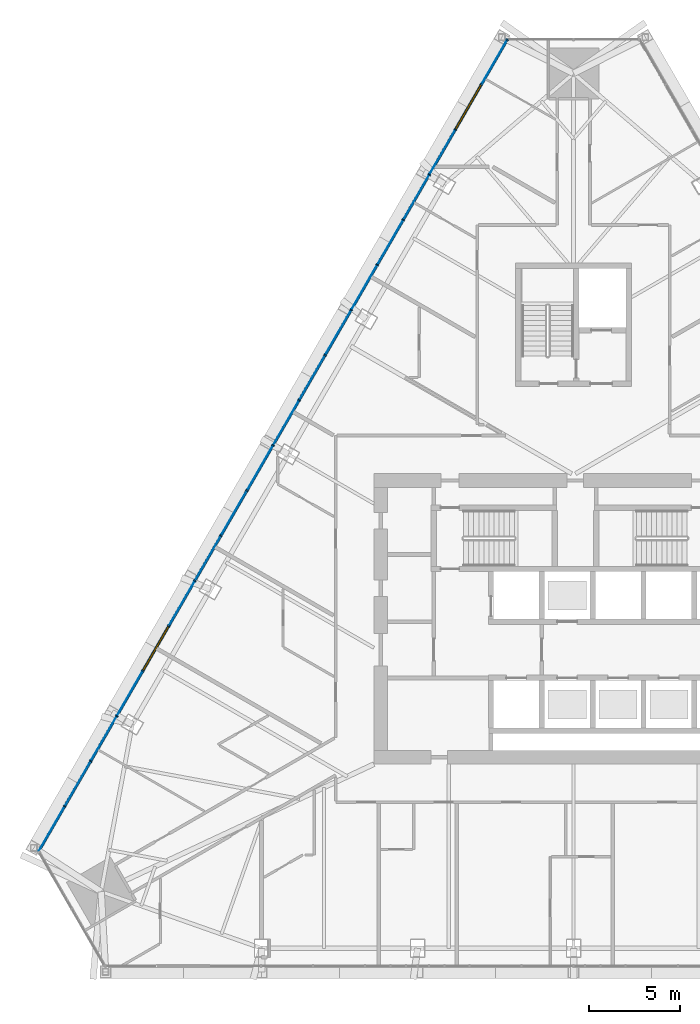
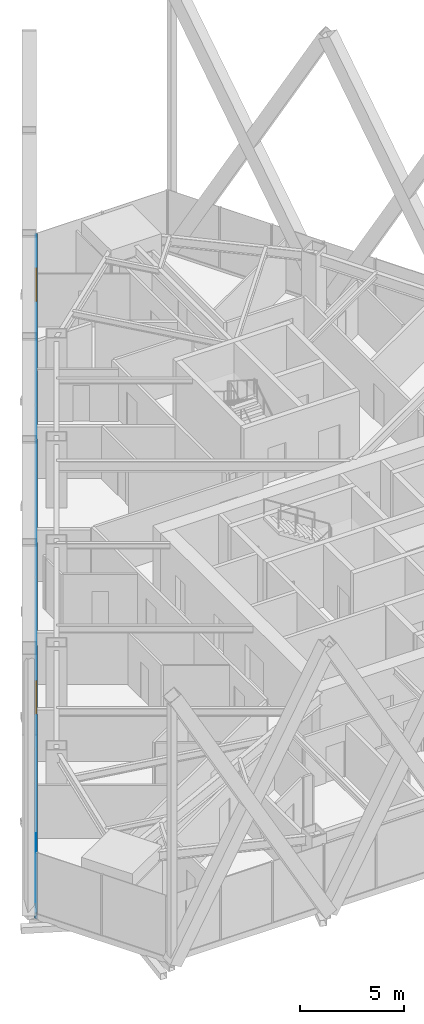
# One storey, part 9 of 23: 19 members, 16 plates, 2 windows, 2 openings, 1 element without a shape of its own.
"""IFC4 building model written with IfcOpenShell, lengths in metres."""

from ifc_helpers import new_model, si_unit, direction, frame, frame_2d, origin, origin_2d, place, context, subcontext, project, spatial, polyline, rectangle, outline, extrude, material, layer, layer_set, material_profile, profile_set, type_object, element, fill, aggregate, save


model = new_model("IFC4")

# Units and contexts
model_context = context("Model", 3, precision=1e-05, world=origin(), true_north=direction((0.0, 1.0)))
body_context = subcontext(model_context, "Body", "Model", "MODEL_VIEW")
ifc_project = project(units=[si_unit("LENGTHUNIT", "METRE"), si_unit("AREAUNIT", "SQUARE_METRE"), si_unit("VOLUMEUNIT", "CUBIC_METRE"), si_unit("PLANEANGLEUNIT", "RADIAN"), si_unit("MASSUNIT", "GRAM", prefix="KILO")], contexts=[model_context])

# Site, building, storey
site_placement = place(None, origin())
site = spatial("IfcSite", under=ifc_project, at=site_placement, CompositionType="ELEMENT")
building_placement = place(site_placement, origin())
building = spatial("IfcBuilding", under=site, at=building_placement, Name="Firuza Gate Tower and Library", CompositionType="ELEMENT")
storey_placement = place(building_placement, frame((0.0, 0.0, 202.60009765625)))
storey = spatial("IfcBuildingStorey", under=building, at=storey_placement, Name="L47", CompositionType="ELEMENT", Elevation=202.60009765625)

# Curtain wall, openings, members, plates, windows
ifc_material_1 = material(Name="Aluminium 6063-T6", Category="aluminium")
ifc_layer_1 = layer(ifc_material_1, 0.14990234375)
ifc_layer_set_1 = layer_set([ifc_layer_1], Name="Unitised curtain wall, hotel")
curtain_wall_type = type_object("IfcCurtainWallType", Name="Unitised curtain wall, hotel", PredefinedType="NOTDEFINED", material=ifc_layer_set_1)
curtain_wall_placement = place(storey_placement, origin())
curtain_wall = element("IfcCurtainWall", 1, at=curtain_wall_placement, inside=storey, type_object=curtain_wall_type, Name="CW2 L47 W face", PredefinedType="NOTDEFINED")
opening_1_placement = place(curtain_wall_placement, frame((69.902099609375, 104.4033203125, 0.14990234375), z_axis=(0.0, 0.0, 1.0), x_axis=(-0.5, -0.866025, 0.0)))
opening_1 = element("IfcOpeningElement", 2, at=opening_1_placement, cuts=curtain_wall, Name="Opening WD1-005", PredefinedType="OPENING", context=body_context, shape_type="SweptSolid", body=[
    extrude(rectangle(XDim=2.789306640625, YDim=3.550048828125, at=frame_2d((1.39453125, 1.77490234375))), frame((0.0, 0.0849609375, 0.0), z_axis=(0.0, -1.0, 0.0), x_axis=(1.0, 0.0, 0.0)), (0.0, 0.0, 1.0), 0.169921875),
])
opening_2_placement = place(curtain_wall_placement, frame((52.685546875, 74.583740234375, 0.14990234375), z_axis=(0.0, 0.0, 1.0), x_axis=(-0.5, -0.866025, 0.0)))
opening_2 = element("IfcOpeningElement", 3, at=opening_2_placement, cuts=curtain_wall, Name="Opening WD1-006", PredefinedType="OPENING", context=body_context, shape_type="SweptSolid", body=[
    extrude(rectangle(XDim=2.789306640625, YDim=3.550048828125, at=frame_2d((1.39453125, 1.77490234375))), frame((0.0, 0.0849609375, 0.0), z_axis=(0.0, -1.0, 0.0), x_axis=(1.0, 0.0, 0.0)), (0.0, 0.0, 1.0), 0.169921875),
])
ifc_material_2 = material(Name="Aluminium 6063-T6", Category="aluminium")
ifc_material_profile_1 = material_profile(ifc_material_2, rectangle(XDim=0.14990234375, YDim=0.080078125, at=origin_2d()))
ifc_profile_set_1 = profile_set([ifc_material_profile_1], Name="Aluminium 6063-T6")
member_type_1 = type_object("IfcMemberType", Name="Curtain wall mullion 80x150", PredefinedType="MULLION", material=ifc_profile_set_1)
member_1_placement = place(storey_placement, frame((71.336669921875, 106.888427734375, 0.14990234375), z_axis=(0.0, 0.0, 1.0), x_axis=(0.866025403784, -0.5, 0.0)))
member_1 = element("IfcMember", 4, at=member_1_placement, type_object=member_type_1, Name="Mullion", PredefinedType="MULLION", context=body_context, shape_type="SweptSolid", body=[
    extrude(rectangle(XDim=0.14990234375, YDim=0.080078125, at=origin_2d()), origin(), (0.0, 0.0, 1.0), 3.550048828125),
])
member_2_placement = place(storey_placement, frame((69.922119140625, 104.43798828125, 0.14990234375), z_axis=(0.0, 0.0, 1.0), x_axis=(0.866025403784, -0.5, 0.0)))
member_2 = element("IfcMember", 5, at=member_2_placement, type_object=member_type_1, Name="Mullion", PredefinedType="MULLION", context=body_context, shape_type="SweptSolid", body=[
    extrude(rectangle(XDim=0.14990234375, YDim=0.080078125, at=origin_2d()), origin(), (0.0, 0.0, 1.0), 3.550048828125),
])
member_3_placement = place(storey_placement, frame((68.4873046875, 101.953125, 0.14990234375), z_axis=(0.0, 0.0, 1.0), x_axis=(0.866025403784, -0.5, 0.0)))
member_3 = element("IfcMember", 6, at=member_3_placement, type_object=member_type_1, Name="Mullion", PredefinedType="MULLION", context=body_context, shape_type="SweptSolid", body=[
    extrude(rectangle(XDim=0.14990234375, YDim=0.080078125, at=origin_2d()), origin(), (0.0, 0.0, 1.0), 3.550048828125),
])
member_4_placement = place(storey_placement, frame((67.052734375, 99.46826171875, 0.14990234375), z_axis=(0.0, 0.0, 1.0), x_axis=(0.866025403784, -0.5, 0.0)))
member_4 = element("IfcMember", 7, at=member_4_placement, type_object=member_type_1, Name="Mullion", PredefinedType="MULLION", context=body_context, shape_type="SweptSolid", body=[
    extrude(rectangle(XDim=0.14990234375, YDim=0.080078125, at=origin_2d()), origin(), (0.0, 0.0, 1.0), 3.550048828125),
])
member_5_placement = place(storey_placement, frame((65.617919921875, 96.983154296875, 0.14990234375), z_axis=(0.0, 0.0, 1.0), x_axis=(0.866025403784, -0.5, 0.0)))
member_5 = element("IfcMember", 8, at=member_5_placement, type_object=member_type_1, Name="Mullion", PredefinedType="MULLION", context=body_context, shape_type="SweptSolid", body=[
    extrude(rectangle(XDim=0.14990234375, YDim=0.080078125, at=origin_2d()), origin(), (0.0, 0.0, 1.0), 3.550048828125),
])
member_6_placement = place(storey_placement, frame((64.18310546875, 94.498291015625, 0.14990234375), z_axis=(0.0, 0.0, 1.0), x_axis=(0.866025403784, -0.5, 0.0)))
member_6 = element("IfcMember", 9, at=member_6_placement, type_object=member_type_1, Name="Mullion", PredefinedType="MULLION", context=body_context, shape_type="SweptSolid", body=[
    extrude(rectangle(XDim=0.14990234375, YDim=0.080078125, at=origin_2d()), origin(), (0.0, 0.0, 1.0), 3.550048828125),
])
member_7_placement = place(storey_placement, frame((62.74853515625, 92.01318359375, 0.14990234375), z_axis=(0.0, 0.0, 1.0), x_axis=(0.866025403784, -0.5, 0.0)))
member_7 = element("IfcMember", 10, at=member_7_placement, type_object=member_type_1, Name="Mullion", PredefinedType="MULLION", context=body_context, shape_type="SweptSolid", body=[
    extrude(rectangle(XDim=0.14990234375, YDim=0.080078125, at=origin_2d()), origin(), (0.0, 0.0, 1.0), 3.550048828125),
])
member_8_placement = place(storey_placement, frame((61.313720703125, 89.5283203125, 0.14990234375), z_axis=(0.0, 0.0, 1.0), x_axis=(0.866025403784, -0.5, 0.0)))
member_8 = element("IfcMember", 11, at=member_8_placement, type_object=member_type_1, Name="Mullion", PredefinedType="MULLION", context=body_context, shape_type="SweptSolid", body=[
    extrude(rectangle(XDim=0.14990234375, YDim=0.080078125, at=origin_2d()), origin(), (0.0, 0.0, 1.0), 3.550048828125),
])
member_9_placement = place(storey_placement, frame((59.879150390625, 87.043212890625, 0.14990234375), z_axis=(0.0, 0.0, 1.0), x_axis=(0.866025403784, -0.5, 0.0)))
member_9 = element("IfcMember", 12, at=member_9_placement, type_object=member_type_1, Name="Mullion", PredefinedType="MULLION", context=body_context, shape_type="SweptSolid", body=[
    extrude(rectangle(XDim=0.14990234375, YDim=0.080078125, at=origin_2d()), origin(), (0.0, 0.0, 1.0), 3.550048828125),
])
member_10_placement = place(storey_placement, frame((58.4443359375, 84.558349609375, 0.14990234375), z_axis=(0.0, 0.0, 1.0), x_axis=(0.866025403784, -0.5, 0.0)))
member_10 = element("IfcMember", 13, at=member_10_placement, type_object=member_type_1, Name="Mullion", PredefinedType="MULLION", context=body_context, shape_type="SweptSolid", body=[
    extrude(rectangle(XDim=0.14990234375, YDim=0.080078125, at=origin_2d()), origin(), (0.0, 0.0, 1.0), 3.550048828125),
])
member_11_placement = place(storey_placement, frame((57.009765625, 82.073486328125, 0.14990234375), z_axis=(0.0, 0.0, 1.0), x_axis=(0.866025403784, -0.5, 0.0)))
member_11 = element("IfcMember", 14, at=member_11_placement, type_object=member_type_1, Name="Mullion", PredefinedType="MULLION", context=body_context, shape_type="SweptSolid", body=[
    extrude(rectangle(XDim=0.14990234375, YDim=0.080078125, at=origin_2d()), origin(), (0.0, 0.0, 1.0), 3.550048828125),
])
member_12_placement = place(storey_placement, frame((55.574951171875, 79.58837890625, 0.14990234375), z_axis=(0.0, 0.0, 1.0), x_axis=(0.866025403784, -0.5, 0.0)))
member_12 = element("IfcMember", 15, at=member_12_placement, type_object=member_type_1, Name="Mullion", PredefinedType="MULLION", context=body_context, shape_type="SweptSolid", body=[
    extrude(rectangle(XDim=0.14990234375, YDim=0.080078125, at=origin_2d()), origin(), (0.0, 0.0, 1.0), 3.550048828125),
])
member_13_placement = place(storey_placement, frame((54.140380859375, 77.103515625, 0.14990234375), z_axis=(0.0, 0.0, 1.0), x_axis=(0.866025403784, -0.5, 0.0)))
member_13 = element("IfcMember", 16, at=member_13_placement, type_object=member_type_1, Name="Mullion", PredefinedType="MULLION", context=body_context, shape_type="SweptSolid", body=[
    extrude(rectangle(XDim=0.14990234375, YDim=0.080078125, at=origin_2d()), origin(), (0.0, 0.0, 1.0), 3.550048828125),
])
member_14_placement = place(storey_placement, frame((52.70556640625, 74.618408203125, 0.14990234375), z_axis=(0.0, 0.0, 1.0), x_axis=(0.866025403784, -0.5, 0.0)))
member_14 = element("IfcMember", 17, at=member_14_placement, type_object=member_type_1, Name="Mullion", PredefinedType="MULLION", context=body_context, shape_type="SweptSolid", body=[
    extrude(rectangle(XDim=0.14990234375, YDim=0.080078125, at=origin_2d()), origin(), (0.0, 0.0, 1.0), 3.550048828125),
])
member_15_placement = place(storey_placement, frame((51.27099609375, 72.133544921875, 0.14990234375), z_axis=(0.0, 0.0, 1.0), x_axis=(0.866025403784, -0.5, 0.0)))
member_15 = element("IfcMember", 18, at=member_15_placement, type_object=member_type_1, Name="Mullion", PredefinedType="MULLION", context=body_context, shape_type="SweptSolid", body=[
    extrude(rectangle(XDim=0.14990234375, YDim=0.080078125, at=origin_2d()), origin(), (0.0, 0.0, 1.0), 3.550048828125),
])
member_16_placement = place(storey_placement, frame((49.836181640625, 69.648681640625, 0.14990234375), z_axis=(0.0, 0.0, 1.0), x_axis=(0.866025403784, -0.5, 0.0)))
member_16 = element("IfcMember", 19, at=member_16_placement, type_object=member_type_1, Name="Mullion", PredefinedType="MULLION", context=body_context, shape_type="SweptSolid", body=[
    extrude(rectangle(XDim=0.14990234375, YDim=0.080078125, at=origin_2d()), origin(), (0.0, 0.0, 1.0), 3.550048828125),
])
member_17_placement = place(storey_placement, frame((48.401611328125, 67.16357421875, 0.14990234375), z_axis=(0.0, 0.0, 1.0), x_axis=(0.866025403784, -0.5, 0.0)))
member_17 = element("IfcMember", 20, at=member_17_placement, type_object=member_type_1, Name="Mullion", PredefinedType="MULLION", context=body_context, shape_type="SweptSolid", body=[
    extrude(rectangle(XDim=0.14990234375, YDim=0.080078125, at=origin_2d()), origin(), (0.0, 0.0, 1.0), 3.550048828125),
])
member_18_placement = place(storey_placement, frame((46.966796875, 64.6787109375, 0.14990234375), z_axis=(0.0, 0.0, 1.0), x_axis=(0.866025403784, -0.5, 0.0)))
member_18 = element("IfcMember", 21, at=member_18_placement, type_object=member_type_1, Name="Mullion", PredefinedType="MULLION", context=body_context, shape_type="SweptSolid", body=[
    extrude(rectangle(XDim=0.14990234375, YDim=0.080078125, at=origin_2d()), origin(), (0.0, 0.0, 1.0), 3.550048828125),
])
ifc_material_3 = material(Name="Aluminium 6063-T6", Category="aluminium")
ifc_material_profile_2 = material_profile(ifc_material_3, rectangle(XDim=0.14990234375, YDim=0.35009765625, at=origin_2d()))
ifc_profile_set_2 = profile_set([ifc_material_profile_2], Name="Aluminium 6063-T6")
member_type_2 = type_object("IfcMemberType", Name="Curtain wall transom 350x150", PredefinedType="USERDEFINED", material=ifc_profile_set_2)
member_19_placement = place(storey_placement, frame((71.356689453125, 106.923095703125, -0.025146484375), z_axis=(-0.499998236205, -0.86602642211, 0.0), x_axis=(0.86602642211, -0.499998236205, 0.0)))
member_19 = element("IfcMember", 22, at=member_19_placement, type_object=member_type_2, Name="Transom", ObjectType="TRANSOM", PredefinedType="USERDEFINED", context=body_context, shape_type="SweptSolid", body=[
    extrude(rectangle(XDim=0.14990234375, YDim=0.35009765625, at=origin_2d()), origin(), (0.0, 0.0, 1.0), 51.649169921875),
])
ifc_material_4 = material(Name="Fritted glass", Category="glass")
ifc_layer_2 = layer(ifc_material_4, 0.030029296875)
ifc_layer_set_2 = layer_set([ifc_layer_2], Name="Fritted glass unit, hotel")
plate_type_1 = type_object("IfcPlateType", Name="Fritted glass unit, hotel", PredefinedType="CURTAIN_PANEL", material=ifc_layer_set_2)
plate_1_placement = place(storey_placement, frame((65.5849609375, 96.9560546875, 0.14990234375), z_axis=(-0.866020890646, 0.500007816904, 0.0), x_axis=(-0.500007816904, -0.866020890646, 0.0)))
plate_1 = element("IfcPlate", 23, at=plate_1_placement, type_object=plate_type_1, Name="Glass unit", PredefinedType="CURTAIN_PANEL", context=body_context, shape_type="SweptSolid", body=[
    extrude(outline(polyline([(0.0, 0.0), (2.789507170632926, 0.0), (2.789507170632926, 3.550048828125), (0.0, 3.550048828125), (0.0, 0.0)])), origin(), (0.0, 0.0, -1.0), 0.030029296875),
])
plate_2_placement = place(storey_placement, frame((61.28076171875, 89.501220703125, 0.14990234375), z_axis=(-0.866058787942, 0.499942172484, 0.0), x_axis=(-0.499942172484, -0.866058787942, 0.0)))
plate_2 = element("IfcPlate", 24, at=plate_2_placement, type_object=plate_type_1, Name="Glass unit", PredefinedType="CURTAIN_PANEL", context=body_context, shape_type="SweptSolid", body=[
    extrude(outline(polyline([(0.0, 0.0), (2.789385106425062, 0.0), (2.789385106425062, 3.550048828125), (0.0, 3.550048828125), (0.0, 0.0)])), origin(), (0.0, 0.0, -1.0), 0.030029296875),
])
plate_3_placement = place(storey_placement, frame((56.976806640625, 82.046142578125, 0.14990234375), z_axis=(-0.865999007209, 0.500045717423, 0.0), x_axis=(-0.500045717423, -0.865999007209, 0.0)))
plate_3 = element("IfcPlate", 25, at=plate_3_placement, type_object=plate_type_1, Name="Glass unit", PredefinedType="CURTAIN_PANEL", context=body_context, shape_type="SweptSolid", body=[
    extrude(outline(polyline([(0.0, 0.0), (2.7892957424226377, 0.0), (2.7892957424226377, 3.550048828125), (0.0, 3.550048828125), (0.0, 0.0)])), origin(), (0.0, 0.0, -1.0), 0.030029296875),
])
plate_4_placement = place(storey_placement, frame((48.36865234375, 67.136474609375, 0.14990234375), z_axis=(-0.866020890646, 0.500007816904, 0.0), x_axis=(-0.500007816904, -0.866020890646, 0.0)))
plate_4 = element("IfcPlate", 26, at=plate_4_placement, type_object=plate_type_1, Name="Glass unit", PredefinedType="CURTAIN_PANEL", context=body_context, shape_type="SweptSolid", body=[
    extrude(outline(polyline([(0.0, 0.0), (2.789507170632926, 0.0), (2.789507170632926, 3.550048828125), (0.0, 3.550048828125), (0.0, 0.0)])), origin(), (0.0, 0.0, -1.0), 0.030029296875),
])
ifc_material_5 = material(Name="Glazed ceramic tile")
ifc_layer_3 = layer(ifc_material_5, 0.030029296875)
ifc_layer_set_3 = layer_set([ifc_layer_3], Name="Opaque ceramic panel, hotel")
plate_type_2 = type_object("IfcPlateType", Name="Opaque ceramic panel, hotel", PredefinedType="CURTAIN_PANEL", material=ifc_layer_set_3)
plate_5_placement = place(storey_placement, frame((71.32373046875, 106.89599609375, 0.14990234375), z_axis=(-0.866020890646, 0.500007816904, 0.0), x_axis=(-0.500007816904, -0.866020890646, 0.0)))
plate_5 = element("IfcPlate", 27, at=plate_5_placement, type_object=plate_type_2, Name="Opaque ceramic panel", PredefinedType="CURTAIN_PANEL", context=body_context, shape_type="SweptSolid", body=[
    extrude(outline(polyline([(0.0, 0.0), (2.789507170632926, 0.0), (2.789507170632926, 3.550048828125), (0.0, 3.550048828125), (0.0, 0.0)])), origin(), (0.0, 0.0, -1.0), 0.030029296875),
])
plate_6_placement = place(storey_placement, frame((68.454345703125, 101.926025390625, 0.14990234375), z_axis=(-0.866020890646, 0.500007816904, 0.0), x_axis=(-0.500007816904, -0.866020890646, 0.0)))
plate_6 = element("IfcPlate", 28, at=plate_6_placement, type_object=plate_type_2, Name="Opaque ceramic panel", PredefinedType="CURTAIN_PANEL", context=body_context, shape_type="SweptSolid", body=[
    extrude(outline(polyline([(0.0, 0.0), (2.789507170632926, 0.0), (2.789507170632926, 3.550048828125), (0.0, 3.550048828125), (0.0, 0.0)])), origin(), (0.0, 0.0, -1.0), 0.030029296875),
])
plate_7_placement = place(storey_placement, frame((67.01953125, 99.44091796875, 0.14990234375), z_axis=(-0.866036909293, 0.499980071345, 0.0), x_axis=(-0.499980071345, -0.866036909293, 0.0)))
plate_7 = element("IfcPlate", 29, at=plate_7_placement, type_object=plate_type_2, Name="Opaque ceramic panel", PredefinedType="CURTAIN_PANEL", context=body_context, shape_type="SweptSolid", body=[
    extrude(outline(polyline([(0.0, 0.0), (2.789173668961919, 0.0), (2.789173668961919, 3.550048828125), (0.0, 3.550048828125), (0.0, 0.0)])), origin(), (0.0, 0.0, -1.0), 0.030029296875),
])
plate_8_placement = place(storey_placement, frame((64.150146484375, 94.47119140625, 0.14990234375), z_axis=(-0.866058787942, 0.499942172484, 0.0), x_axis=(-0.499942172484, -0.866058787942, 0.0)))
plate_8 = element("IfcPlate", 30, at=plate_8_placement, type_object=plate_type_2, Name="Opaque ceramic panel", PredefinedType="CURTAIN_PANEL", context=body_context, shape_type="SweptSolid", body=[
    extrude(outline(polyline([(0.0, 0.0), (2.789385106425062, 0.0), (2.789385106425062, 3.550048828125), (0.0, 3.550048828125), (0.0, 0.0)])), origin(), (0.0, 0.0, -1.0), 0.030029296875),
])
plate_9_placement = place(storey_placement, frame((62.715576171875, 91.986083984375, 0.14990234375), z_axis=(-0.866020890646, 0.500007816904, 0.0), x_axis=(-0.500007816904, -0.866020890646, 0.0)))
plate_9 = element("IfcPlate", 31, at=plate_9_placement, type_object=plate_type_2, Name="Opaque ceramic panel", PredefinedType="CURTAIN_PANEL", context=body_context, shape_type="SweptSolid", body=[
    extrude(outline(polyline([(0.0, 0.0), (2.789507170632926, 0.0), (2.789507170632926, 3.550048828125), (0.0, 3.550048828125), (0.0, 0.0)])), origin(), (0.0, 0.0, -1.0), 0.030029296875),
])
plate_10_placement = place(storey_placement, frame((59.84619140625, 87.01611328125, 0.14990234375), z_axis=(-0.865999007209, 0.500045717423, 0.0), x_axis=(-0.500045717423, -0.865999007209, 0.0)))
plate_10 = element("IfcPlate", 32, at=plate_10_placement, type_object=plate_type_2, Name="Opaque ceramic panel", PredefinedType="CURTAIN_PANEL", context=body_context, shape_type="SweptSolid", body=[
    extrude(outline(polyline([(0.0, 0.0), (2.7892957424226377, 0.0), (2.7892957424226377, 3.550048828125), (0.0, 3.550048828125), (0.0, 0.0)])), origin(), (0.0, 0.0, -1.0), 0.030029296875),
])
plate_11_placement = place(storey_placement, frame((58.411376953125, 84.53125, 0.14990234375), z_axis=(-0.866058787942, 0.499942172484, 0.0), x_axis=(-0.499942172484, -0.866058787942, 0.0)))
plate_11 = element("IfcPlate", 33, at=plate_11_placement, type_object=plate_type_2, Name="Opaque ceramic panel", PredefinedType="CURTAIN_PANEL", context=body_context, shape_type="SweptSolid", body=[
    extrude(outline(polyline([(0.0, 0.0), (2.789385106425062, 0.0), (2.789385106425062, 3.550048828125), (0.0, 3.550048828125), (0.0, 0.0)])), origin(), (0.0, 0.0, -1.0), 0.030029296875),
])
plate_12_placement = place(storey_placement, frame((55.5419921875, 79.561279296875, 0.14990234375), z_axis=(-0.866058787942, 0.499942172484, 0.0), x_axis=(-0.499942172484, -0.866058787942, 0.0)))
plate_12 = element("IfcPlate", 34, at=plate_12_placement, type_object=plate_type_2, Name="Opaque ceramic panel", PredefinedType="CURTAIN_PANEL", context=body_context, shape_type="SweptSolid", body=[
    extrude(outline(polyline([(0.0, 0.0), (2.789385106425062, 0.0), (2.789385106425062, 3.550048828125), (0.0, 3.550048828125), (0.0, 0.0)])), origin(), (0.0, 0.0, -1.0), 0.030029296875),
])
plate_13_placement = place(storey_placement, frame((54.107421875, 77.076416015625, 0.14990234375), z_axis=(-0.866020890646, 0.500007816904, 0.0), x_axis=(-0.500007816904, -0.866020890646, 0.0)))
plate_13 = element("IfcPlate", 35, at=plate_13_placement, type_object=plate_type_2, Name="Opaque ceramic panel", PredefinedType="CURTAIN_PANEL", context=body_context, shape_type="SweptSolid", body=[
    extrude(outline(polyline([(0.0, 0.0), (2.789507170632926, 0.0), (2.789507170632926, 3.550048828125), (0.0, 3.550048828125), (0.0, 0.0)])), origin(), (0.0, 0.0, -1.0), 0.030029296875),
])
plate_14_placement = place(storey_placement, frame((51.238037109375, 72.1064453125, 0.14990234375), z_axis=(-0.866020890646, 0.500007816904, 0.0), x_axis=(-0.500007816904, -0.866020890646, 0.0)))
plate_14 = element("IfcPlate", 36, at=plate_14_placement, type_object=plate_type_2, Name="Opaque ceramic panel", PredefinedType="CURTAIN_PANEL", context=body_context, shape_type="SweptSolid", body=[
    extrude(outline(polyline([(0.0, 0.0), (2.789507170632926, 0.0), (2.789507170632926, 3.550048828125), (0.0, 3.550048828125), (0.0, 0.0)])), origin(), (0.0, 0.0, -1.0), 0.030029296875),
])
plate_15_placement = place(storey_placement, frame((49.80322265625, 69.621337890625, 0.14990234375), z_axis=(-0.866036909293, 0.499980071345, 0.0), x_axis=(-0.499980071345, -0.866036909293, 0.0)))
plate_15 = element("IfcPlate", 37, at=plate_15_placement, type_object=plate_type_2, Name="Opaque ceramic panel", PredefinedType="CURTAIN_PANEL", context=body_context, shape_type="SweptSolid", body=[
    extrude(outline(polyline([(0.0, 0.0), (2.789173668961919, 0.0), (2.789173668961919, 3.550048828125), (0.0, 3.550048828125), (0.0, 0.0)])), origin(), (0.0, 0.0, -1.0), 0.030029296875),
])
plate_16_placement = place(storey_placement, frame((46.933837890625, 64.651611328125, 0.14990234375), z_axis=(-0.866058787942, 0.499942172484, 0.0), x_axis=(-0.499942172484, -0.866058787942, 0.0)))
plate_16 = element("IfcPlate", 38, at=plate_16_placement, type_object=plate_type_2, Name="Opaque ceramic panel", PredefinedType="CURTAIN_PANEL", context=body_context, shape_type="SweptSolid", body=[
    extrude(outline(polyline([(0.0, 0.0), (2.789385106425062, 0.0), (2.789385106425062, 3.550048828125), (0.0, 3.550048828125), (0.0, 0.0)])), origin(), (0.0, 0.0, -1.0), 0.030029296875),
])
aggregate(curtain_wall, [member_1, member_2, member_3, member_4, member_5, member_6, member_7, member_8, member_9, member_10, member_11, member_12, member_13, member_14, member_15, member_16, member_17, member_18, member_19, plate_5, plate_6, plate_7, plate_1, plate_8, plate_9, plate_2, plate_10, plate_11, plate_3, plate_12, plate_13, plate_14, plate_15, plate_4, plate_16])
ifc_material_6 = material(Name="Aluminium 6063-T6 and glass", Category="aluminium")
ifc_layer_4 = layer(ifc_material_6, 0.030029296875)
ifc_layer_set_4 = layer_set([ifc_layer_4], Name="Operable glazed unit")
window_type = type_object("IfcWindowType", Name="Operable glazed unit", PartitioningType="SINGLE_PANEL", PredefinedType="WINDOW", material=ifc_layer_set_4)
window_1_placement = place(opening_1_placement, origin())
window_1 = element("IfcWindow", 39, at=window_1_placement, inside=storey, type_object=window_type, Name="Operable glazed unit", OverallHeight=3.550048828125, OverallWidth=2.789306640625, PartitioningType="SINGLE_PANEL", PredefinedType="WINDOW", context=body_context, shape_type="SweptSolid", body=[
    extrude(rectangle(XDim=2.789306640625, YDim=3.550048828125, at=frame_2d((1.39453125, 1.77490234375))), frame((0.0, 0.030029296875, 0.0), z_axis=(0.0, -1.0, 0.0), x_axis=(1.0, 0.0, 0.0)), (0.0, 0.0, 1.0), 0.06005859375),
])
fill(opening_1, window_1)
window_2_placement = place(opening_2_placement, origin())
window_2 = element("IfcWindow", 40, at=window_2_placement, inside=storey, type_object=window_type, Name="Operable glazed unit", OverallHeight=3.550048828125, OverallWidth=2.789306640625, PartitioningType="SINGLE_PANEL", PredefinedType="WINDOW", context=body_context, shape_type="SweptSolid", body=[
    extrude(rectangle(XDim=2.789306640625, YDim=3.550048828125, at=frame_2d((1.39453125, 1.77490234375))), frame((0.0, 0.030029296875, 0.0), z_axis=(0.0, -1.0, 0.0), x_axis=(1.0, 0.0, 0.0)), (0.0, 0.0, 1.0), 0.06005859375),
])
fill(opening_2, window_2)

save(model, "model.ifc")
